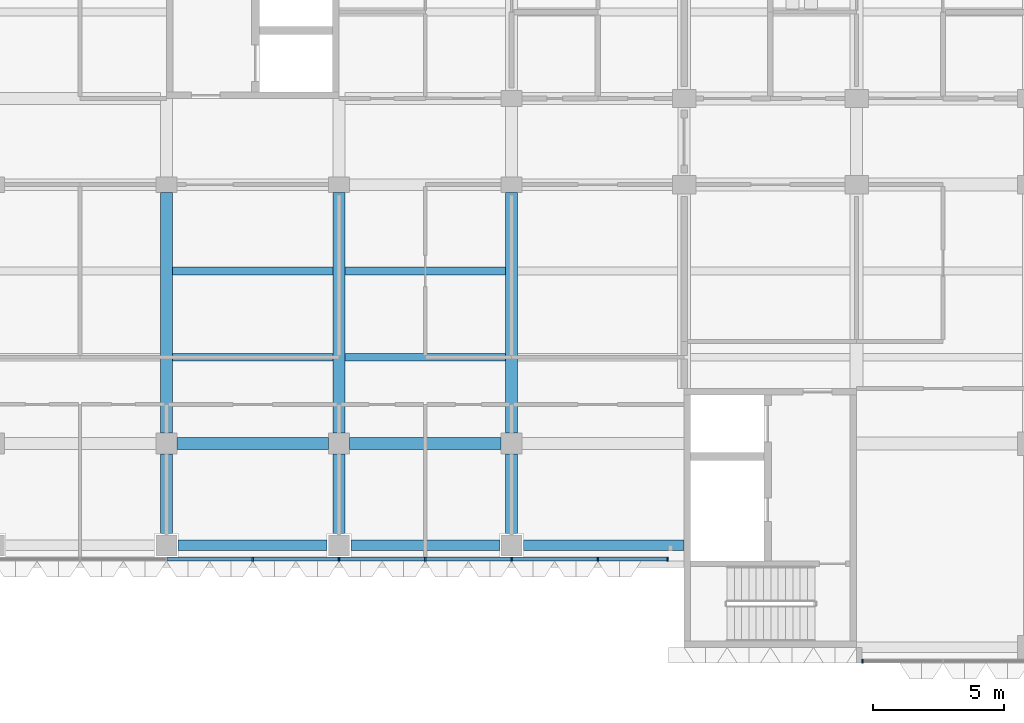
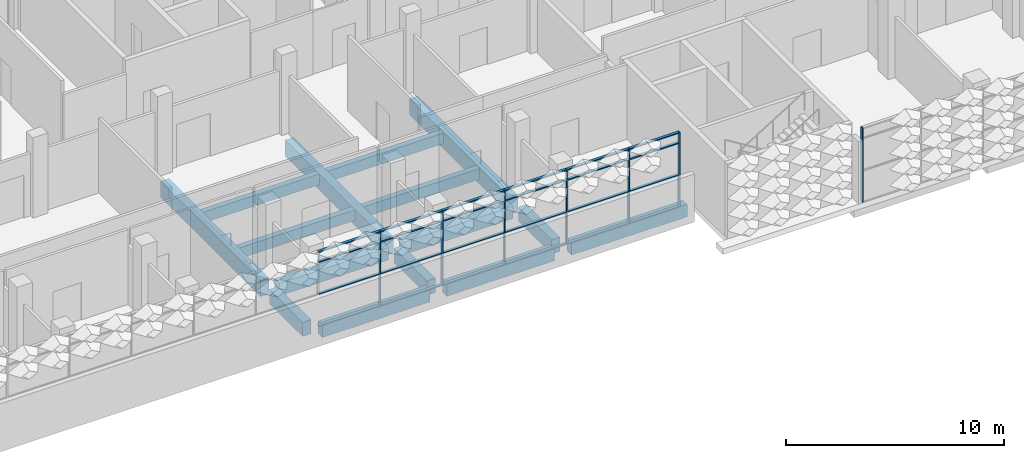
# One storey, part 6 of 102: 31 members, 15 beams, 2 elements without a shape of their own.
"""IFC4 building model written with IfcOpenShell, lengths in metres."""

from ifc_helpers import new_model, si_unit, direction, frame, origin, origin_2d, place, context, subcontext, project, spatial, rectangle, extrude, material, material_profile, profile_set, type_object, element, aggregate, save


model = new_model("IFC4")

# Units and contexts
model_context = context("Model", 3, precision=1e-05, world=origin(), true_north=direction((0.0, 1.0)))
body_context = subcontext(model_context, "Body", "Model", "MODEL_VIEW")
ifc_project = project(units=[si_unit("LENGTHUNIT", "METRE"), si_unit("AREAUNIT", "SQUARE_METRE"), si_unit("VOLUMEUNIT", "CUBIC_METRE"), si_unit("PLANEANGLEUNIT", "RADIAN"), si_unit("MASSUNIT", "GRAM", prefix="KILO")], contexts=[model_context])

# Site, building, storey
site_placement = place(None, origin())
site = spatial("IfcSite", under=ifc_project, at=site_placement, CompositionType="ELEMENT")
building_placement = place(site_placement, origin())
building = spatial("IfcBuilding", under=site, at=building_placement, Name="Lantern Court Research Institute", CompositionType="ELEMENT")
storey_placement = place(building_placement, frame((0.0, 0.0, 9.89990234375)))
storey = spatial("IfcBuildingStorey", under=building, at=storey_placement, Name="L02", CompositionType="ELEMENT", Elevation=9.89990234375)

# Curtain wall, members
ifc_material_1 = material(Name="Aluminium alloy 6063-T6", Category="aluminium")
curtain_wall_type_1 = type_object("IfcCurtainWallType", Name="Curtain wall 52800 x 4200 x 150 aluminium frame", PredefinedType="NOTDEFINED", material=ifc_material_1)
curtain_wall_1_placement = place(storey_placement, origin())
curtain_wall_1 = element("IfcCurtainWall", 1, at=curtain_wall_1_placement, inside=storey, type_object=curtain_wall_type_1, Name="Curtain wall CW041", PredefinedType="NOTDEFINED")
ifc_material_2 = material(Name="Aluminium alloy 6063-T6", Category="aluminium")
ifc_material_profile_1 = material_profile(ifc_material_2, rectangle(XDim=0.14990234375, YDim=0.06005859375, at=origin_2d()), Name="Mullion 150 x 60")
ifc_profile_set_1 = profile_set([ifc_material_profile_1], Name="Aluminium alloy 6063-T6")
member_type_1 = type_object("IfcMemberType", Name="Mullion 150 x 60 aluminium", PredefinedType="MULLION", material=ifc_profile_set_1)
member_1_placement = place(storey_placement, frame((36.300048828125, -4.425048828125, 0.0), z_axis=(0.0, 0.0, 1.0), x_axis=(0.0, -1.0, 0.0)))
member_1 = element("IfcMember", 2, at=member_1_placement, type_object=member_type_1, Name="CW041 mullion 12", PredefinedType="MULLION", context=body_context, shape_type="SweptSolid", body=[
    extrude(rectangle(XDim=0.14990234375, YDim=0.06005859375, at=origin_2d()), origin(), (0.0, 0.0, 1.0), 4.2001953125),
])
member_2_placement = place(storey_placement, frame((39.60009765625, -4.425048828125, 0.0), z_axis=(0.0, 0.0, 1.0), x_axis=(0.0, -1.0, 0.0)))
member_2 = element("IfcMember", 3, at=member_2_placement, type_object=member_type_1, Name="CW041 mullion 13", PredefinedType="MULLION", context=body_context, shape_type="SweptSolid", body=[
    extrude(rectangle(XDim=0.14990234375, YDim=0.06005859375, at=origin_2d()), origin(), (0.0, 0.0, 1.0), 4.2001953125),
])
member_3_placement = place(storey_placement, frame((42.89990234375, -4.425048828125, 0.0), z_axis=(0.0, 0.0, 1.0), x_axis=(0.0, -1.0, 0.0)))
member_3 = element("IfcMember", 4, at=member_3_placement, type_object=member_type_1, Name="CW041 mullion 14", PredefinedType="MULLION", context=body_context, shape_type="SweptSolid", body=[
    extrude(rectangle(XDim=0.14990234375, YDim=0.06005859375, at=origin_2d()), origin(), (0.0, 0.0, 1.0), 4.2001953125),
])
member_4_placement = place(storey_placement, frame((46.199951171875, -4.425048828125, 0.0), z_axis=(0.0, 0.0, 1.0), x_axis=(0.0, -1.0, 0.0)))
member_4 = element("IfcMember", 5, at=member_4_placement, type_object=member_type_1, Name="CW041 mullion 15", PredefinedType="MULLION", context=body_context, shape_type="SweptSolid", body=[
    extrude(rectangle(XDim=0.14990234375, YDim=0.06005859375, at=origin_2d()), origin(), (0.0, 0.0, 1.0), 4.2001953125),
])
member_5_placement = place(storey_placement, frame((49.5, -4.425048828125, 0.0), z_axis=(0.0, 0.0, 1.0), x_axis=(0.0, -1.0, 0.0)))
member_5 = element("IfcMember", 6, at=member_5_placement, type_object=member_type_1, Name="CW041 mullion 16", PredefinedType="MULLION", context=body_context, shape_type="SweptSolid", body=[
    extrude(rectangle(XDim=0.14990234375, YDim=0.06005859375, at=origin_2d()), origin(), (0.0, 0.0, 1.0), 4.2001953125),
])
member_6_placement = place(storey_placement, frame((52.169921875, -4.425048828125, 0.0), z_axis=(0.0, 0.0, 1.0), x_axis=(0.0, -1.0, 0.0)))
member_6 = element("IfcMember", 7, at=member_6_placement, type_object=member_type_1, Name="CW041 mullion 17", PredefinedType="MULLION", context=body_context, shape_type="SweptSolid", body=[
    extrude(rectangle(XDim=0.14990234375, YDim=0.06005859375, at=origin_2d()), origin(), (0.0, 0.0, 1.0), 4.2001953125),
])

# Curtain wall, member
ifc_material_3 = material(Name="Aluminium alloy 6063-T6", Category="aluminium")
curtain_wall_type_2 = type_object("IfcCurtainWallType", Name="Curtain wall 20200 x 4200 x 150 aluminium frame", PredefinedType="NOTDEFINED", material=ifc_material_3)
curtain_wall_2_placement = place(storey_placement, origin())
curtain_wall_2 = element("IfcCurtainWall", 8, at=curtain_wall_2_placement, inside=storey, type_object=curtain_wall_type_2, Name="Curtain wall CW044", PredefinedType="NOTDEFINED")
member_7_placement = place(storey_placement, frame((59.6298828125, -8.324951171875, 0.0), z_axis=(0.0, 0.0, 1.0), x_axis=(0.0, -1.0, 0.0)))
member_7 = element("IfcMember", 9, at=member_7_placement, type_object=member_type_1, Name="CW044 mullion 1", PredefinedType="MULLION", context=body_context, shape_type="SweptSolid", body=[
    extrude(rectangle(XDim=0.14990234375, YDim=0.06005859375, at=origin_2d()), origin(), (0.0, 0.0, 1.0), 4.2001953125),
])
aggregate(curtain_wall_2, [member_7])

# Beams
ifc_material_4 = material(Name="Concrete C40/50", Category="concrete")
ifc_material_profile_2 = material_profile(ifc_material_4, rectangle(XDim=0.449951171875, YDim=0.699951171875, at=origin_2d()), Name="RC beam 450 x 700")
ifc_profile_set_2 = profile_set([ifc_material_profile_2], Name="Concrete C40/50")
beam_type_1 = type_object("IfcBeamType", Name="RC beam 450 x 700", PredefinedType="BEAM", material=ifc_profile_set_2)
for number, where, z_axis, x_axis, name in (
    (10, (33.39990234375, 0.0, -0.64990234375), (1.0, 0.0, 0.0), (0.0, 1.0, 0.0), "Beam L02 grid A/6-7"),
    (11, (40.0, 0.0, -0.64990234375), (1.0, 0.0, 0.0), (0.0, 1.0, 0.0), "Beam L02 grid A/7-8"),
):
    element("IfcBeam", number, at=place(storey_placement, frame(where, z_axis=z_axis, x_axis=x_axis)), inside=storey, type_object=beam_type_1, Name=name, PredefinedType="BEAM", context=body_context, shape_type="SweptSolid", body=[
        extrude(rectangle(XDim=0.449951171875, YDim=0.699951171875, at=origin_2d()), origin(), (0.0, 0.0, 1.0), 5.800048828125),
    ])
ifc_material_5 = material(Name="Concrete C40/50", Category="concrete")
ifc_material_profile_3 = material_profile(ifc_material_5, rectangle(XDim=0.39990234375, YDim=0.699951171875, at=origin_2d()), Name="RC beam 400 x 700")
ifc_profile_set_3 = profile_set([ifc_material_profile_3], Name="Concrete C40/50")
beam_type_2 = type_object("IfcBeamType", Name="RC edge beam 400 x 700", PredefinedType="BEAM", material=ifc_profile_set_3)
for number, where, z_axis, x_axis, name in (
    (12, (33.449951171875, -3.89990234375, -0.64990234375), (1.0, 0.0, 0.0), (0.0, 1.0, 0.0), "Edge beam L02 grid Y/6-7"),
    (13, (40.050048828125, -3.89990234375, -0.64990234375), (1.0, 0.0, 0.0), (0.0, 1.0, 0.0), "Edge beam L02 grid Y/7-8"),
):
    element("IfcBeam", number, at=place(storey_placement, frame(where, z_axis=z_axis, x_axis=x_axis)), inside=storey, type_object=beam_type_2, Name=name, PredefinedType="BEAM", context=body_context, shape_type="SweptSolid", body=[
        extrude(rectangle(XDim=0.39990234375, YDim=0.699951171875, at=origin_2d()), origin(), (0.0, 0.0, 1.0), 5.699951171875),
    ])
beam_1_placement = place(storey_placement, frame((46.64990234375, -3.89990234375, -0.64990234375), z_axis=(1.0, 0.0, 0.0), x_axis=(0.0, 1.0, 0.0)))
element("IfcBeam", 14, at=beam_1_placement, inside=storey, type_object=beam_type_2, Name="Edge beam L02 grid Y/8-9", PredefinedType="BEAM", context=body_context, shape_type="SweptSolid", body=[
    extrude(rectangle(XDim=0.39990234375, YDim=0.699951171875, at=origin_2d()), origin(), (0.0, 0.0, 1.0), 6.150146484375),
])
ifc_material_6 = material(Name="Concrete C40/50", Category="concrete")
ifc_material_profile_4 = material_profile(ifc_material_6, rectangle(XDim=0.449951171875, YDim=0.800048828125, at=origin_2d()), Name="RC beam 450 x 800")
ifc_profile_set_4 = profile_set([ifc_material_profile_4], Name="Concrete C40/50")
beam_type_3 = type_object("IfcBeamType", Name="RC girder 450 x 800", PredefinedType="BEAM", material=ifc_profile_set_4)
for number, where, z_axis, x_axis, name in (
    (15, (33.0, -3.449951171875, -0.699951171875), (0.0, 1.0, 0.0), (-1.0, 0.0, 0.0), "Girder L02 grid 6/Y-A"),
    (16, (39.60009765625, -3.449951171875, -0.699951171875), (0.0, 1.0, 0.0), (-1.0, 0.0, 0.0), "Girder L02 grid 7/Y-A"),
    (17, (46.199951171875, -3.449951171875, -0.699951171875), (0.0, 1.0, 0.0), (-1.0, 0.0, 0.0), "Girder L02 grid 8/Y-A"),
):
    element("IfcBeam", number, at=place(storey_placement, frame(where, z_axis=z_axis, x_axis=x_axis)), inside=storey, type_object=beam_type_3, Name=name, PredefinedType="BEAM", context=body_context, shape_type="SweptSolid", body=[
        extrude(rectangle(XDim=0.449951171875, YDim=0.800048828125, at=origin_2d()), origin(), (0.0, 0.0, 1.0), 3.050048828125),
    ])
ifc_material_7 = material(Name="Concrete C40/50", Category="concrete")
ifc_material_profile_5 = material_profile(ifc_material_7, rectangle(XDim=0.449951171875, YDim=0.89990234375, at=origin_2d()), Name="RC beam 450 x 900")
ifc_profile_set_5 = profile_set([ifc_material_profile_5], Name="Concrete C40/50")
beam_type_4 = type_object("IfcBeamType", Name="RC girder 450 x 900", PredefinedType="BEAM", material=ifc_profile_set_5)
for number, where, z_axis, x_axis, name in (
    (18, (33.0, 0.39990234375, -0.75), (0.0, 1.0, 0.0), (-1.0, 0.0, 0.0), "Girder L02 grid 6/A-B"),
    (19, (39.60009765625, 0.39990234375, -0.75), (0.0, 1.0, 0.0), (-1.0, 0.0, 0.0), "Girder L02 grid 7/A-B"),
    (20, (46.199951171875, 0.39990234375, -0.75), (0.0, 1.0, 0.0), (-1.0, 0.0, 0.0), "Girder L02 grid 8/A-B"),
):
    element("IfcBeam", number, at=place(storey_placement, frame(where, z_axis=z_axis, x_axis=x_axis)), inside=storey, type_object=beam_type_4, Name=name, PredefinedType="BEAM", context=body_context, shape_type="SweptSolid", body=[
        extrude(rectangle(XDim=0.449951171875, YDim=0.89990234375, at=origin_2d()), origin(), (0.0, 0.0, 1.0), 9.2001953125),
    ])
ifc_material_8 = material(Name="Concrete C40/50", Category="concrete")
ifc_material_profile_6 = material_profile(ifc_material_8, rectangle(XDim=0.300048828125, YDim=0.60009765625, at=origin_2d()), Name="RC beam 300 x 600")
ifc_profile_set_6 = profile_set([ifc_material_profile_6], Name="Concrete C40/50")
beam_type_5 = type_object("IfcBeamType", Name="RC secondary beam 300 x 600", PredefinedType="BEAM", material=ifc_profile_set_6)
beam_2_placement = place(storey_placement, frame((33.22509765625, 3.300048828125, -0.599853515625), z_axis=(1.0, 0.0, 0.0), x_axis=(0.0, 1.0, 0.0)))
element("IfcBeam", 21, at=beam_2_placement, inside=storey, type_object=beam_type_5, Name="Secondary beam L02 grids 6-7 / A-B, line 1", PredefinedType="BEAM", context=body_context, shape_type="SweptSolid", body=[
    extrude(rectangle(XDim=0.300048828125, YDim=0.60009765625, at=origin_2d()), origin(), (0.0, 0.0, 1.0), 6.14990234375),
])
beam_3_placement = place(storey_placement, frame((39.824951171875, 3.300048828125, -0.599853515625), z_axis=(1.0, 0.0, 0.0), x_axis=(0.0, 1.0, 0.0)))
element("IfcBeam", 22, at=beam_3_placement, inside=storey, type_object=beam_type_5, Name="Secondary beam L02 grids 7-8 / A-B, line 1", PredefinedType="BEAM", context=body_context, shape_type="SweptSolid", body=[
    extrude(rectangle(XDim=0.300048828125, YDim=0.60009765625, at=origin_2d()), origin(), (0.0, 0.0, 1.0), 6.150146484375),
])
beam_4_placement = place(storey_placement, frame((33.22509765625, 6.60009765625, -0.599853515625), z_axis=(1.0, 0.0, 0.0), x_axis=(0.0, 1.0, 0.0)))
element("IfcBeam", 23, at=beam_4_placement, inside=storey, type_object=beam_type_5, Name="Secondary beam L02 grids 6-7 / A-B, line 2", PredefinedType="BEAM", context=body_context, shape_type="SweptSolid", body=[
    extrude(rectangle(XDim=0.300048828125, YDim=0.60009765625, at=origin_2d()), origin(), (0.0, 0.0, 1.0), 6.14990234375),
])
beam_5_placement = place(storey_placement, frame((39.824951171875, 6.60009765625, -0.599853515625), z_axis=(1.0, 0.0, 0.0), x_axis=(0.0, 1.0, 0.0)))
element("IfcBeam", 24, at=beam_5_placement, inside=storey, type_object=beam_type_5, Name="Secondary beam L02 grids 7-8 / A-B, line 2", PredefinedType="BEAM", context=body_context, shape_type="SweptSolid", body=[
    extrude(rectangle(XDim=0.300048828125, YDim=0.60009765625, at=origin_2d()), origin(), (0.0, 0.0, 1.0), 6.150146484375),
])

# Member
ifc_material_9 = material(Name="Aluminium alloy 6063-T6", Category="aluminium")
ifc_material_profile_7 = material_profile(ifc_material_9, rectangle(XDim=0.14990234375, YDim=0.06005859375, at=origin_2d()), Name="Transom 150 x 60")
ifc_profile_set_7 = profile_set([ifc_material_profile_7], Name="Aluminium alloy 6063-T6")
member_type_2 = type_object("IfcMemberType", Name="Transom 150 x 60 aluminium", PredefinedType="USERDEFINED", material=ifc_profile_set_7)
member_8_placement = place(storey_placement, frame((36.27001953125, -4.425048828125, 0.030029296875), z_axis=(-1.0, 0.0, 0.0), x_axis=(0.0, -1.0, 0.0)))
member_8 = element("IfcMember", 25, at=member_8_placement, type_object=member_type_2, Name="CW041 transom 11.1", ObjectType="TRANSOM", PredefinedType="USERDEFINED", context=body_context, shape_type="SweptSolid", body=[
    extrude(rectangle(XDim=0.14990234375, YDim=0.06005859375, at=origin_2d()), origin(), (0.0, 0.0, 1.0), 3.239990234375),
])

member_9_placement = place(storey_placement, frame((36.27001953125, -4.425048828125, 1.800048828125), z_axis=(-1.0, 0.0, 0.0), x_axis=(0.0, -1.0, 0.0)))
member_9 = element("IfcMember", 26, at=member_9_placement, type_object=member_type_2, Name="CW041 transom 11.2", ObjectType="TRANSOM", PredefinedType="USERDEFINED", context=body_context, shape_type="SweptSolid", body=[
    extrude(rectangle(XDim=0.14990234375, YDim=0.06005859375, at=origin_2d()), origin(), (0.0, 0.0, 1.0), 3.239990234375),
])

member_10_placement = place(storey_placement, frame((36.27001953125, -4.425048828125, 3.60009765625), z_axis=(-1.0, 0.0, 0.0), x_axis=(0.0, -1.0, 0.0)))
member_10 = element("IfcMember", 27, at=member_10_placement, type_object=member_type_2, Name="CW041 transom 11.3", ObjectType="TRANSOM", PredefinedType="USERDEFINED", context=body_context, shape_type="SweptSolid", body=[
    extrude(rectangle(XDim=0.14990234375, YDim=0.06005859375, at=origin_2d()), origin(), (0.0, 0.0, 1.0), 3.239990234375),
])

member_11_placement = place(storey_placement, frame((36.27001953125, -4.425048828125, 4.170166015625), z_axis=(-1.0, 0.0, 0.0), x_axis=(0.0, -1.0, 0.0)))
member_11 = element("IfcMember", 28, at=member_11_placement, type_object=member_type_2, Name="CW041 transom 11.4", ObjectType="TRANSOM", PredefinedType="USERDEFINED", context=body_context, shape_type="SweptSolid", body=[
    extrude(rectangle(XDim=0.14990234375, YDim=0.06005859375, at=origin_2d()), origin(), (0.0, 0.0, 1.0), 3.239990234375),
])

member_12_placement = place(storey_placement, frame((39.570068359375, -4.425048828125, 0.030029296875), z_axis=(-1.0, 0.0, 0.0), x_axis=(0.0, -1.0, 0.0)))
member_12 = element("IfcMember", 29, at=member_12_placement, type_object=member_type_2, Name="CW041 transom 12.1", ObjectType="TRANSOM", PredefinedType="USERDEFINED", context=body_context, shape_type="SweptSolid", body=[
    extrude(rectangle(XDim=0.14990234375, YDim=0.06005859375, at=origin_2d()), origin(), (0.0, 0.0, 1.0), 3.239990234375),
])

member_13_placement = place(storey_placement, frame((39.570068359375, -4.425048828125, 1.800048828125), z_axis=(-1.0, 0.0, 0.0), x_axis=(0.0, -1.0, 0.0)))
member_13 = element("IfcMember", 30, at=member_13_placement, type_object=member_type_2, Name="CW041 transom 12.2", ObjectType="TRANSOM", PredefinedType="USERDEFINED", context=body_context, shape_type="SweptSolid", body=[
    extrude(rectangle(XDim=0.14990234375, YDim=0.06005859375, at=origin_2d()), origin(), (0.0, 0.0, 1.0), 3.239990234375),
])

member_14_placement = place(storey_placement, frame((39.570068359375, -4.425048828125, 3.60009765625), z_axis=(-1.0, 0.0, 0.0), x_axis=(0.0, -1.0, 0.0)))
member_14 = element("IfcMember", 31, at=member_14_placement, type_object=member_type_2, Name="CW041 transom 12.3", ObjectType="TRANSOM", PredefinedType="USERDEFINED", context=body_context, shape_type="SweptSolid", body=[
    extrude(rectangle(XDim=0.14990234375, YDim=0.06005859375, at=origin_2d()), origin(), (0.0, 0.0, 1.0), 3.239990234375),
])

member_15_placement = place(storey_placement, frame((39.570068359375, -4.425048828125, 4.170166015625), z_axis=(-1.0, 0.0, 0.0), x_axis=(0.0, -1.0, 0.0)))
member_15 = element("IfcMember", 32, at=member_15_placement, type_object=member_type_2, Name="CW041 transom 12.4", ObjectType="TRANSOM", PredefinedType="USERDEFINED", context=body_context, shape_type="SweptSolid", body=[
    extrude(rectangle(XDim=0.14990234375, YDim=0.06005859375, at=origin_2d()), origin(), (0.0, 0.0, 1.0), 3.239990234375),
])

member_16_placement = place(storey_placement, frame((42.8701171875, -4.425048828125, 0.030029296875), z_axis=(-1.0, 0.0, 0.0), x_axis=(0.0, -1.0, 0.0)))
member_16 = element("IfcMember", 33, at=member_16_placement, type_object=member_type_2, Name="CW041 transom 13.1", ObjectType="TRANSOM", PredefinedType="USERDEFINED", context=body_context, shape_type="SweptSolid", body=[
    extrude(rectangle(XDim=0.14990234375, YDim=0.06005859375, at=origin_2d()), origin(), (0.0, 0.0, 1.0), 3.240234375),
])

member_17_placement = place(storey_placement, frame((42.8701171875, -4.425048828125, 1.800048828125), z_axis=(-1.0, 0.0, 0.0), x_axis=(0.0, -1.0, 0.0)))
member_17 = element("IfcMember", 34, at=member_17_placement, type_object=member_type_2, Name="CW041 transom 13.2", ObjectType="TRANSOM", PredefinedType="USERDEFINED", context=body_context, shape_type="SweptSolid", body=[
    extrude(rectangle(XDim=0.14990234375, YDim=0.06005859375, at=origin_2d()), origin(), (0.0, 0.0, 1.0), 3.240234375),
])

member_18_placement = place(storey_placement, frame((42.8701171875, -4.425048828125, 3.60009765625), z_axis=(-1.0, 0.0, 0.0), x_axis=(0.0, -1.0, 0.0)))
member_18 = element("IfcMember", 35, at=member_18_placement, type_object=member_type_2, Name="CW041 transom 13.3", ObjectType="TRANSOM", PredefinedType="USERDEFINED", context=body_context, shape_type="SweptSolid", body=[
    extrude(rectangle(XDim=0.14990234375, YDim=0.06005859375, at=origin_2d()), origin(), (0.0, 0.0, 1.0), 3.240234375),
])

member_19_placement = place(storey_placement, frame((42.8701171875, -4.425048828125, 4.170166015625), z_axis=(-1.0, 0.0, 0.0), x_axis=(0.0, -1.0, 0.0)))
member_19 = element("IfcMember", 36, at=member_19_placement, type_object=member_type_2, Name="CW041 transom 13.4", ObjectType="TRANSOM", PredefinedType="USERDEFINED", context=body_context, shape_type="SweptSolid", body=[
    extrude(rectangle(XDim=0.14990234375, YDim=0.06005859375, at=origin_2d()), origin(), (0.0, 0.0, 1.0), 3.240234375),
])

member_20_placement = place(storey_placement, frame((46.169921875, -4.425048828125, 0.030029296875), z_axis=(-1.0, 0.0, 0.0), x_axis=(0.0, -1.0, 0.0)))
member_20 = element("IfcMember", 37, at=member_20_placement, type_object=member_type_2, Name="CW041 transom 14.1", ObjectType="TRANSOM", PredefinedType="USERDEFINED", context=body_context, shape_type="SweptSolid", body=[
    extrude(rectangle(XDim=0.14990234375, YDim=0.06005859375, at=origin_2d()), origin(), (0.0, 0.0, 1.0), 3.239990234375),
])

member_21_placement = place(storey_placement, frame((46.169921875, -4.425048828125, 1.800048828125), z_axis=(-1.0, 0.0, 0.0), x_axis=(0.0, -1.0, 0.0)))
member_21 = element("IfcMember", 38, at=member_21_placement, type_object=member_type_2, Name="CW041 transom 14.2", ObjectType="TRANSOM", PredefinedType="USERDEFINED", context=body_context, shape_type="SweptSolid", body=[
    extrude(rectangle(XDim=0.14990234375, YDim=0.06005859375, at=origin_2d()), origin(), (0.0, 0.0, 1.0), 3.239990234375),
])

member_22_placement = place(storey_placement, frame((46.169921875, -4.425048828125, 3.60009765625), z_axis=(-1.0, 0.0, 0.0), x_axis=(0.0, -1.0, 0.0)))
member_22 = element("IfcMember", 39, at=member_22_placement, type_object=member_type_2, Name="CW041 transom 14.3", ObjectType="TRANSOM", PredefinedType="USERDEFINED", context=body_context, shape_type="SweptSolid", body=[
    extrude(rectangle(XDim=0.14990234375, YDim=0.06005859375, at=origin_2d()), origin(), (0.0, 0.0, 1.0), 3.239990234375),
])

member_23_placement = place(storey_placement, frame((46.169921875, -4.425048828125, 4.170166015625), z_axis=(-1.0, 0.0, 0.0), x_axis=(0.0, -1.0, 0.0)))
member_23 = element("IfcMember", 40, at=member_23_placement, type_object=member_type_2, Name="CW041 transom 14.4", ObjectType="TRANSOM", PredefinedType="USERDEFINED", context=body_context, shape_type="SweptSolid", body=[
    extrude(rectangle(XDim=0.14990234375, YDim=0.06005859375, at=origin_2d()), origin(), (0.0, 0.0, 1.0), 3.239990234375),
])

member_24_placement = place(storey_placement, frame((49.469970703125, -4.425048828125, 0.030029296875), z_axis=(-1.0, 0.0, 0.0), x_axis=(0.0, -1.0, 0.0)))
member_24 = element("IfcMember", 41, at=member_24_placement, type_object=member_type_2, Name="CW041 transom 15.1", ObjectType="TRANSOM", PredefinedType="USERDEFINED", context=body_context, shape_type="SweptSolid", body=[
    extrude(rectangle(XDim=0.14990234375, YDim=0.06005859375, at=origin_2d()), origin(), (0.0, 0.0, 1.0), 3.239990234375),
])

member_25_placement = place(storey_placement, frame((49.469970703125, -4.425048828125, 1.800048828125), z_axis=(-1.0, 0.0, 0.0), x_axis=(0.0, -1.0, 0.0)))
member_25 = element("IfcMember", 42, at=member_25_placement, type_object=member_type_2, Name="CW041 transom 15.2", ObjectType="TRANSOM", PredefinedType="USERDEFINED", context=body_context, shape_type="SweptSolid", body=[
    extrude(rectangle(XDim=0.14990234375, YDim=0.06005859375, at=origin_2d()), origin(), (0.0, 0.0, 1.0), 3.239990234375),
])

member_26_placement = place(storey_placement, frame((49.469970703125, -4.425048828125, 3.60009765625), z_axis=(-1.0, 0.0, 0.0), x_axis=(0.0, -1.0, 0.0)))
member_26 = element("IfcMember", 43, at=member_26_placement, type_object=member_type_2, Name="CW041 transom 15.3", ObjectType="TRANSOM", PredefinedType="USERDEFINED", context=body_context, shape_type="SweptSolid", body=[
    extrude(rectangle(XDim=0.14990234375, YDim=0.06005859375, at=origin_2d()), origin(), (0.0, 0.0, 1.0), 3.239990234375),
])

member_27_placement = place(storey_placement, frame((49.469970703125, -4.425048828125, 4.170166015625), z_axis=(-1.0, 0.0, 0.0), x_axis=(0.0, -1.0, 0.0)))
member_27 = element("IfcMember", 44, at=member_27_placement, type_object=member_type_2, Name="CW041 transom 15.4", ObjectType="TRANSOM", PredefinedType="USERDEFINED", context=body_context, shape_type="SweptSolid", body=[
    extrude(rectangle(XDim=0.14990234375, YDim=0.06005859375, at=origin_2d()), origin(), (0.0, 0.0, 1.0), 3.239990234375),
])

member_28_placement = place(storey_placement, frame((52.139892578125, -4.425048828125, 0.030029296875), z_axis=(-1.0, 0.0, 0.0), x_axis=(0.0, -1.0, 0.0)))
member_28 = element("IfcMember", 45, at=member_28_placement, type_object=member_type_2, Name="CW041 transom 16.1", ObjectType="TRANSOM", PredefinedType="USERDEFINED", context=body_context, shape_type="SweptSolid", body=[
    extrude(rectangle(XDim=0.14990234375, YDim=0.06005859375, at=origin_2d()), origin(), (0.0, 0.0, 1.0), 2.60986328125),
])

member_29_placement = place(storey_placement, frame((52.139892578125, -4.425048828125, 1.800048828125), z_axis=(-1.0, 0.0, 0.0), x_axis=(0.0, -1.0, 0.0)))
member_29 = element("IfcMember", 46, at=member_29_placement, type_object=member_type_2, Name="CW041 transom 16.2", ObjectType="TRANSOM", PredefinedType="USERDEFINED", context=body_context, shape_type="SweptSolid", body=[
    extrude(rectangle(XDim=0.14990234375, YDim=0.06005859375, at=origin_2d()), origin(), (0.0, 0.0, 1.0), 2.60986328125),
])

member_30_placement = place(storey_placement, frame((52.139892578125, -4.425048828125, 3.60009765625), z_axis=(-1.0, 0.0, 0.0), x_axis=(0.0, -1.0, 0.0)))
member_30 = element("IfcMember", 47, at=member_30_placement, type_object=member_type_2, Name="CW041 transom 16.3", ObjectType="TRANSOM", PredefinedType="USERDEFINED", context=body_context, shape_type="SweptSolid", body=[
    extrude(rectangle(XDim=0.14990234375, YDim=0.06005859375, at=origin_2d()), origin(), (0.0, 0.0, 1.0), 2.60986328125),
])

member_31_placement = place(storey_placement, frame((52.139892578125, -4.425048828125, 4.170166015625), z_axis=(-1.0, 0.0, 0.0), x_axis=(0.0, -1.0, 0.0)))
member_31 = element("IfcMember", 48, at=member_31_placement, type_object=member_type_2, Name="CW041 transom 16.4", ObjectType="TRANSOM", PredefinedType="USERDEFINED", context=body_context, shape_type="SweptSolid", body=[
    extrude(rectangle(XDim=0.14990234375, YDim=0.06005859375, at=origin_2d()), origin(), (0.0, 0.0, 1.0), 2.60986328125),
])

aggregate(curtain_wall_1, [member_1, member_2, member_3, member_4, member_5, member_6, member_8, member_9, member_10, member_11, member_12, member_13, member_14, member_15, member_16, member_17, member_18, member_19, member_20, member_21, member_22, member_23, member_24, member_25, member_26, member_27, member_28, member_29, member_30, member_31])

save(model, "model.ifc")
